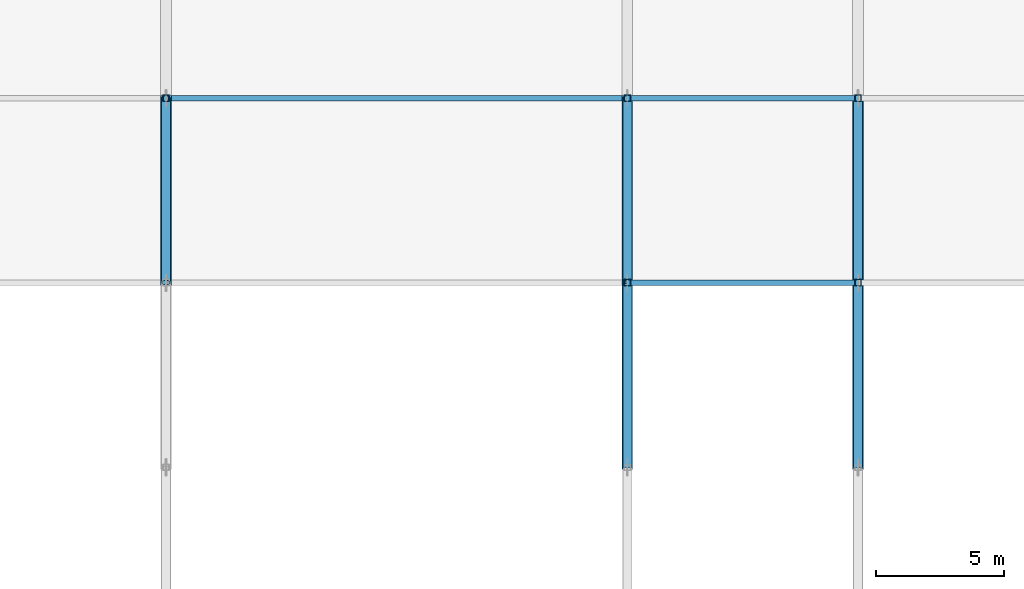
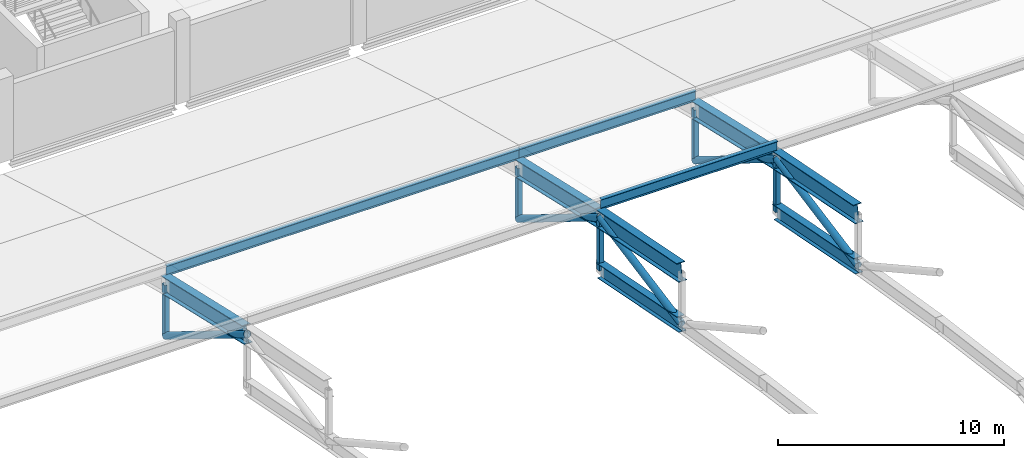
# One storey, part 26 of 124: 20 members.
"""IFC4 building model written with IfcOpenShell, lengths in metres."""

from ifc_helpers import new_model, si_unit, direction, frame, origin, origin_2d, place, context, subcontext, project, spatial, hollow_rectangle, hollow_circle, i_section, extrude, material, material_profile, profile_set, type_object, element, save


model = new_model("IFC4")

# Units and contexts
model_context = context("Model", 3, precision=1e-05, world=origin(), true_north=direction((0.0, 1.0)))
body_context = subcontext(model_context, "Body", "Model", "MODEL_VIEW")
ifc_project = project(units=[si_unit("LENGTHUNIT", "METRE"), si_unit("AREAUNIT", "SQUARE_METRE"), si_unit("VOLUMEUNIT", "CUBIC_METRE"), si_unit("PLANEANGLEUNIT", "RADIAN"), si_unit("MASSUNIT", "GRAM", prefix="KILO")], contexts=[model_context])

# Site, building, storey
site_placement = place(None, origin())
site = spatial("IfcSite", under=ifc_project, at=site_placement, CompositionType="ELEMENT")
building_placement = place(site_placement, origin())
building = spatial("IfcBuilding", under=site, at=building_placement, Name="Celestram Park Convention Centre", CompositionType="ELEMENT")
storey_placement = place(building_placement, frame((0.0, 0.0, 15.300048828125)))
storey = spatial("IfcBuildingStorey", under=building, at=storey_placement, Name="L03", CompositionType="ELEMENT", Elevation=15.300048828125)

# Members
ifc_material_1 = material(Name="Steel ASTM A500 Grade C", Category="steel")
ifc_material_profile_1 = material_profile(ifc_material_1, hollow_circle(Radius=0.177978515625, WallThickness=0.011962890625, at=origin_2d()), Name="CHS356X12")
ifc_profile_set_1 = profile_set([ifc_material_profile_1], Name="Steel ASTM A500 Grade C")
member_type_1 = type_object("IfcMemberType", Name="STR-BRC-CHS356", PredefinedType="BRACE", material=ifc_profile_set_1)
member_1_placement = place(storey_placement, frame((36.0, 86.39990234375, 3.5634765625), z_axis=(0.0, 0.850741852858, -0.525583770483), x_axis=(-1.0, 0.0, 0.0)))
element("IfcMember", 1, at=member_1_placement, inside=storey, type_object=member_type_1, Name="V1 arch web diagonal", PredefinedType="BRACE", context=body_context, shape_type="SweptSolid", body=[
    extrude(hollow_circle(Radius=0.177978515625, WallThickness=0.011962890625, at=origin_2d()), origin(), (0.0, 0.0, 1.0), 8.46337890625),
])
member_2_placement = place(storey_placement, frame((54.0, 79.199951171875, 2.181640625), z_axis=(0.0, 0.982076449011, 0.188483018595), x_axis=(-1.0, 0.0, 0.0)))
element("IfcMember", 2, at=member_2_placement, inside=storey, type_object=member_type_1, Name="V1 arch web diagonal", PredefinedType="BRACE", context=body_context, shape_type="SweptSolid", body=[
    extrude(hollow_circle(Radius=0.177978515625, WallThickness=0.011962890625, at=origin_2d()), origin(), (0.0, 0.0, 1.0), 7.331298828125),
])
member_3_placement = place(storey_placement, frame((54.0, 86.39990234375, 3.5634765625), z_axis=(0.0, 0.850741852858, -0.525583770483), x_axis=(-1.0, 0.0, 0.0)))
element("IfcMember", 3, at=member_3_placement, inside=storey, type_object=member_type_1, Name="V1 arch web diagonal", PredefinedType="BRACE", context=body_context, shape_type="SweptSolid", body=[
    extrude(hollow_circle(Radius=0.177978515625, WallThickness=0.011962890625, at=origin_2d()), origin(), (0.0, 0.0, 1.0), 8.46337890625),
])
member_4_placement = place(storey_placement, frame((63.0, 79.199951171875, 2.181640625), z_axis=(0.0, 0.982076449011, 0.188483018595), x_axis=(-1.0, 0.0, 0.0)))
element("IfcMember", 4, at=member_4_placement, inside=storey, type_object=member_type_1, Name="V1 arch web diagonal", PredefinedType="BRACE", context=body_context, shape_type="SweptSolid", body=[
    extrude(hollow_circle(Radius=0.177978515625, WallThickness=0.011962890625, at=origin_2d()), origin(), (0.0, 0.0, 1.0), 7.331298828125),
])
member_5_placement = place(storey_placement, frame((63.0, 86.39990234375, 3.5634765625), z_axis=(0.0, 0.850741852858, -0.525583770483), x_axis=(-1.0, 0.0, 0.0)))
element("IfcMember", 5, at=member_5_placement, inside=storey, type_object=member_type_1, Name="V1 arch web diagonal", PredefinedType="BRACE", context=body_context, shape_type="SweptSolid", body=[
    extrude(hollow_circle(Radius=0.177978515625, WallThickness=0.011962890625, at=origin_2d()), origin(), (0.0, 0.0, 1.0), 8.46337890625),
])
ifc_material_2 = material(Name="Steel ASTM A992 Grade 50", Category="steel")
ifc_material_profile_2 = material_profile(ifc_material_2, i_section(OverallWidth=0.381103515625, OverallDepth=0.77197265625, WebThickness=0.0166015625, FlangeThickness=0.027099609375, at=origin_2d()), Name="W30X173")
ifc_profile_set_2 = profile_set([ifc_material_profile_2], Name="Steel ASTM A992 Grade 50")
member_type_2 = type_object("IfcMemberType", Name="STR-CHD-W30X173", PredefinedType="CHORD", material=ifc_profile_set_2)
for number, where, z_axis, x_axis, name in (
    (6, (54.0, 79.199951171875, 2.181640625), (0.0, 0.981147221646, -0.193261815827), (-1.0, 0.0, 0.0), "V1 arch bottom chord"),
    (7, (63.0, 79.199951171875, 2.181640625), (0.0, 0.981147221646, -0.193261815827), (-1.0, 0.0, 0.0), "V1 arch bottom chord"),
):
    element("IfcMember", number, at=place(storey_placement, frame(where, z_axis=z_axis, x_axis=x_axis)), inside=storey, type_object=member_type_2, Name=name, PredefinedType="CHORD", context=body_context, shape_type="SweptSolid", body=[
        extrude(i_section(OverallWidth=0.381103515625, OverallDepth=0.77197265625, WebThickness=0.0166015625, FlangeThickness=0.027099609375, at=origin_2d()), origin(), (0.0, 0.0, 1.0), 7.33837890625),
    ])
ifc_material_profile_3 = material_profile(ifc_material_2, i_section(OverallWidth=0.4189453125, OverallDepth=0.927001953125, WebThickness=0.019287109375, FlangeThickness=0.031982421875, at=origin_2d()), Name="W36X231")
ifc_profile_set_3 = profile_set([ifc_material_profile_3], Name="Steel ASTM A992 Grade 50")
member_type_3 = type_object("IfcMemberType", Name="STR-CHD-W36X231", PredefinedType="CHORD", material=ifc_profile_set_3)
member_6_placement = place(storey_placement, frame((36.0, 86.39990234375, 3.5634765625), z_axis=(0.0, 0.974779673899, -0.223169414016), x_axis=(-1.0, 0.0, 0.0)))
element("IfcMember", 8, at=member_6_placement, inside=storey, type_object=member_type_3, Name="V1 arch top chord", PredefinedType="CHORD", context=body_context, shape_type="SweptSolid", body=[
    extrude(i_section(OverallWidth=0.4189453125, OverallDepth=0.927001953125, WebThickness=0.019287109375, FlangeThickness=0.031982421875, at=origin_2d()), origin(), (0.0, 0.0, 1.0), 7.386474609375),
])
member_7_placement = place(storey_placement, frame((54.0, 79.199951171875, 4.981689453125), z_axis=(0.0, 0.981147221646, -0.193261815827), x_axis=(-1.0, 0.0, 0.0)))
element("IfcMember", 9, at=member_7_placement, inside=storey, type_object=member_type_3, Name="V1 arch top chord", PredefinedType="CHORD", context=body_context, shape_type="SweptSolid", body=[
    extrude(i_section(OverallWidth=0.4189453125, OverallDepth=0.927001953125, WebThickness=0.019287109375, FlangeThickness=0.031982421875, at=origin_2d()), origin(), (0.0, 0.0, 1.0), 7.33837890625),
])
member_8_placement = place(storey_placement, frame((54.0, 86.39990234375, 3.5634765625), z_axis=(0.0, 0.974779673899, -0.223169414016), x_axis=(-1.0, 0.0, 0.0)))
element("IfcMember", 10, at=member_8_placement, inside=storey, type_object=member_type_3, Name="V1 arch top chord", PredefinedType="CHORD", context=body_context, shape_type="SweptSolid", body=[
    extrude(i_section(OverallWidth=0.4189453125, OverallDepth=0.927001953125, WebThickness=0.019287109375, FlangeThickness=0.031982421875, at=origin_2d()), origin(), (0.0, 0.0, 1.0), 7.386474609375),
])
member_9_placement = place(storey_placement, frame((63.0, 79.199951171875, 4.981689453125), z_axis=(0.0, 0.981147221646, -0.193261815827), x_axis=(-1.0, 0.0, 0.0)))
element("IfcMember", 11, at=member_9_placement, inside=storey, type_object=member_type_3, Name="V1 arch top chord", PredefinedType="CHORD", context=body_context, shape_type="SweptSolid", body=[
    extrude(i_section(OverallWidth=0.4189453125, OverallDepth=0.927001953125, WebThickness=0.019287109375, FlangeThickness=0.031982421875, at=origin_2d()), origin(), (0.0, 0.0, 1.0), 7.33837890625),
])
member_10_placement = place(storey_placement, frame((63.0, 86.39990234375, 3.5634765625), z_axis=(0.0, 0.974779673899, -0.223169414016), x_axis=(-1.0, 0.0, 0.0)))
element("IfcMember", 12, at=member_10_placement, inside=storey, type_object=member_type_3, Name="V1 arch top chord", PredefinedType="CHORD", context=body_context, shape_type="SweptSolid", body=[
    extrude(i_section(OverallWidth=0.4189453125, OverallDepth=0.927001953125, WebThickness=0.019287109375, FlangeThickness=0.031982421875, at=origin_2d()), origin(), (0.0, 0.0, 1.0), 7.386474609375),
])
ifc_material_profile_4 = material_profile(ifc_material_2, i_section(OverallWidth=0.2099609375, OverallDepth=0.532958984375, WebThickness=0.01025390625, FlangeThickness=0.015625, at=origin_2d()), Name="W21X62")
ifc_profile_set_4 = profile_set([ifc_material_profile_4], Name="Steel ASTM A992 Grade 50")
member_type_4 = type_object("IfcMemberType", Name="STR-RFT-W21X62", PredefinedType="RAFTER", material=ifc_profile_set_4)
member_11_placement = place(storey_placement, frame((36.0, 93.60009765625, 2.645263671875), z_axis=(1.0, 0.0, 0.0), x_axis=(0.0, 1.0, 0.0)))
element("IfcMember", 13, at=member_11_placement, inside=storey, type_object=member_type_4, Name="V1 roof purlin", PredefinedType="RAFTER", context=body_context, shape_type="SweptSolid", body=[
    extrude(i_section(OverallWidth=0.2099609375, OverallDepth=0.532958984375, WebThickness=0.01025390625, FlangeThickness=0.015625, at=origin_2d()), origin(), (0.0, 0.0, 1.0), 18.0),
])
for number, where, z_axis, x_axis, name in (
    (14, (54.0, 86.39990234375, 4.29345703125), (1.0, 0.0, 0.0), (0.0, 1.0, 0.0), "V1 roof purlin"),
    (15, (54.0, 93.60009765625, 2.645263671875), (1.0, 0.0, 0.0), (0.0, 1.0, 0.0), "V1 roof purlin"),
):
    element("IfcMember", number, at=place(storey_placement, frame(where, z_axis=z_axis, x_axis=x_axis)), inside=storey, type_object=member_type_4, Name=name, PredefinedType="RAFTER", context=body_context, shape_type="SweptSolid", body=[
        extrude(i_section(OverallWidth=0.2099609375, OverallDepth=0.532958984375, WebThickness=0.01025390625, FlangeThickness=0.015625, at=origin_2d()), origin(), (0.0, 0.0, 1.0), 9.0),
    ])
ifc_material_profile_5 = material_profile(ifc_material_1, hollow_rectangle(XDim=0.25, YDim=0.25, WallThickness=0.011962890625, at=origin_2d()), Name="HSS250X250X12")
ifc_profile_set_5 = profile_set([ifc_material_profile_5], Name="Steel ASTM A500 Grade C")
member_type_5 = type_object("IfcMemberType", Name="STR-STR-HSS250", PredefinedType="STRUT", material=ifc_profile_set_5)
member_12_placement = place(storey_placement, frame((36.0, 93.60009765625, -0.884765625), z_axis=(0.0, 0.0, 1.0), x_axis=(1.0, 0.0, 0.0)))
element("IfcMember", 16, at=member_12_placement, inside=storey, type_object=member_type_5, Name="V1 arch vertical strut", PredefinedType="STRUT", context=body_context, shape_type="SweptSolid", body=[
    extrude(hollow_rectangle(XDim=0.25, YDim=0.25, WallThickness=0.011962890625, at=origin_2d()), origin(), (0.0, 0.0, 1.0), 2.7998046875),
])
member_13_placement = place(storey_placement, frame((54.0, 86.39990234375, 0.763427734375), z_axis=(0.0, 0.0, 1.0), x_axis=(1.0, 0.0, 0.0)))
element("IfcMember", 17, at=member_13_placement, inside=storey, type_object=member_type_5, Name="V1 arch vertical strut", PredefinedType="STRUT", context=body_context, shape_type="SweptSolid", body=[
    extrude(hollow_rectangle(XDim=0.25, YDim=0.25, WallThickness=0.011962890625, at=origin_2d()), origin(), (0.0, 0.0, 1.0), 2.800048828125),
])
member_14_placement = place(storey_placement, frame((54.0, 93.60009765625, -0.884765625), z_axis=(0.0, 0.0, 1.0), x_axis=(1.0, 0.0, 0.0)))
element("IfcMember", 18, at=member_14_placement, inside=storey, type_object=member_type_5, Name="V1 arch vertical strut", PredefinedType="STRUT", context=body_context, shape_type="SweptSolid", body=[
    extrude(hollow_rectangle(XDim=0.25, YDim=0.25, WallThickness=0.011962890625, at=origin_2d()), origin(), (0.0, 0.0, 1.0), 2.7998046875),
])
member_15_placement = place(storey_placement, frame((63.0, 86.39990234375, 0.763427734375), z_axis=(0.0, 0.0, 1.0), x_axis=(1.0, 0.0, 0.0)))
element("IfcMember", 19, at=member_15_placement, inside=storey, type_object=member_type_5, Name="V1 arch vertical strut", PredefinedType="STRUT", context=body_context, shape_type="SweptSolid", body=[
    extrude(hollow_rectangle(XDim=0.25, YDim=0.25, WallThickness=0.011962890625, at=origin_2d()), origin(), (0.0, 0.0, 1.0), 2.800048828125),
])
member_16_placement = place(storey_placement, frame((63.0, 93.60009765625, -0.884765625), z_axis=(0.0, 0.0, 1.0), x_axis=(1.0, 0.0, 0.0)))
element("IfcMember", 20, at=member_16_placement, inside=storey, type_object=member_type_5, Name="V1 arch vertical strut", PredefinedType="STRUT", context=body_context, shape_type="SweptSolid", body=[
    extrude(hollow_rectangle(XDim=0.25, YDim=0.25, WallThickness=0.011962890625, at=origin_2d()), origin(), (0.0, 0.0, 1.0), 2.7998046875),
])

save(model, "model.ifc")
